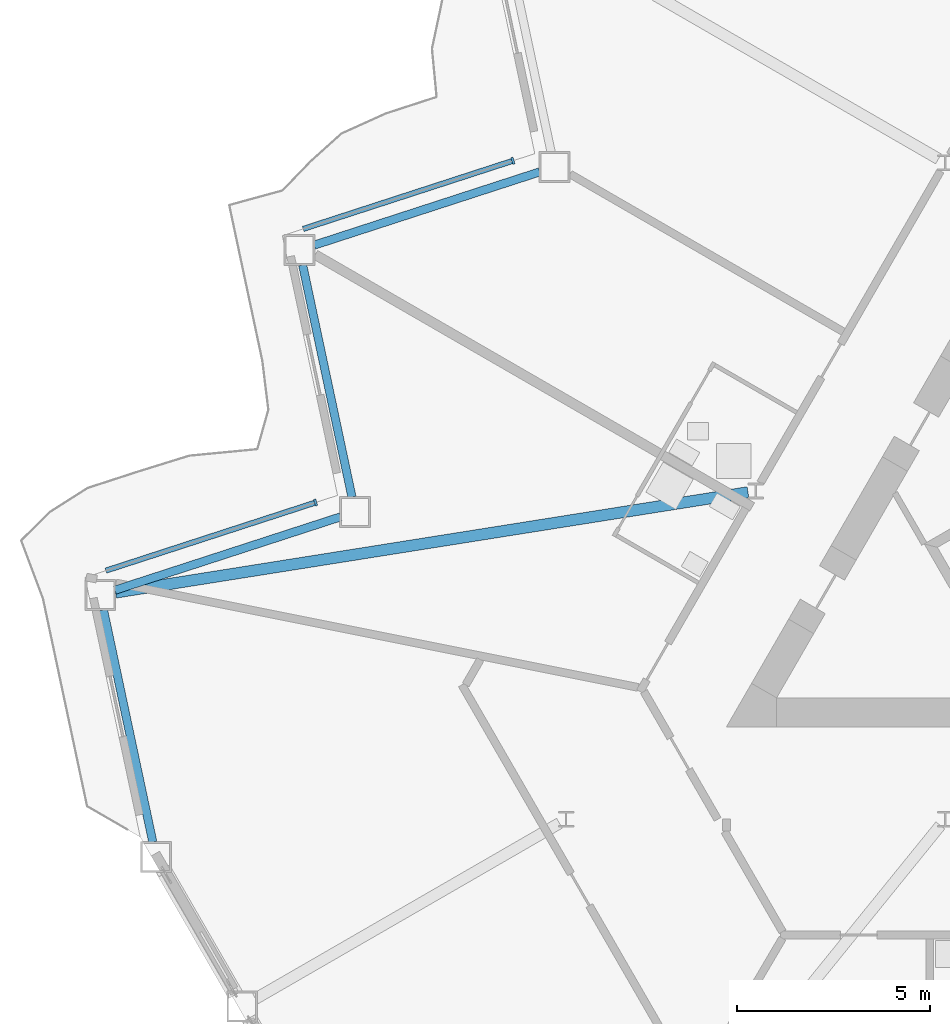
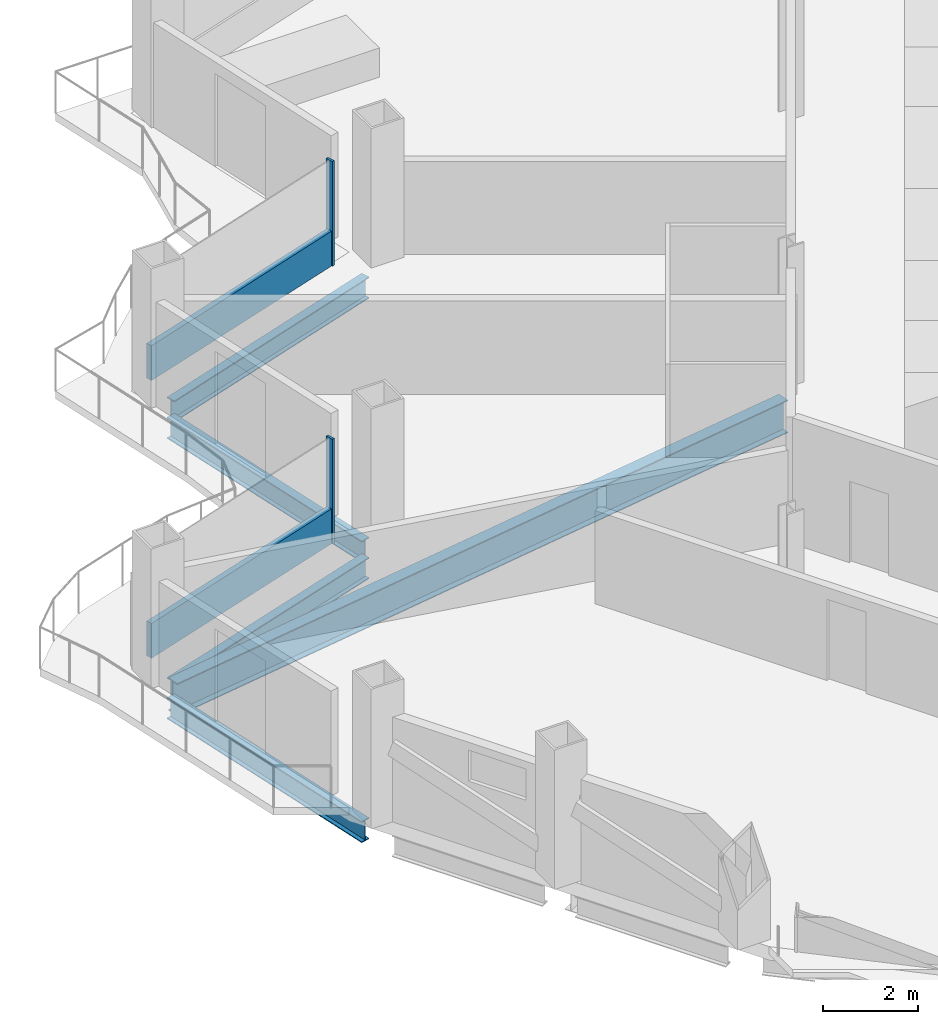
# One storey, part 4 of 23: 5 beams, 4 members, 2 elements without a shape of their own.
"""IFC4 building model written with IfcOpenShell, lengths in metres."""

from ifc_helpers import new_model, si_unit, direction, frame, origin, origin_2d, place, context, subcontext, project, spatial, rectangle, i_section, extrude, material, layer, layer_set, material_profile, profile_set, type_object, element, aggregate, save


model = new_model("IFC4")

# Units and contexts
model_context = context("Model", 3, precision=1e-05, world=origin(), true_north=direction((0.0, 1.0)))
body_context = subcontext(model_context, "Body", "Model", "MODEL_VIEW")
ifc_project = project(units=[si_unit("LENGTHUNIT", "METRE"), si_unit("AREAUNIT", "SQUARE_METRE"), si_unit("VOLUMEUNIT", "CUBIC_METRE"), si_unit("PLANEANGLEUNIT", "RADIAN"), si_unit("MASSUNIT", "GRAM", prefix="KILO")], contexts=[model_context])

# Site, building, storey
site_placement = place(None, origin())
site = spatial("IfcSite", under=ifc_project, at=site_placement, CompositionType="ELEMENT")
building_placement = place(site_placement, origin())
building = spatial("IfcBuilding", under=site, at=building_placement, Name="Cormorant Prow Tower", CompositionType="ELEMENT")
storey_placement = place(building_placement, frame((0.0, 0.0, 176.39990234375)))
storey = spatial("IfcBuildingStorey", under=building, at=storey_placement, Name="L37", CompositionType="ELEMENT", Elevation=176.39990234375)

# Curtain wall, member
ifc_material_1 = material(Name="Aluminium 6063-T6", Category="aluminium")
ifc_layer = layer(ifc_material_1, 0.179931640625)
ifc_layer_set = layer_set([ifc_layer], Name="Aluminium 6063-T6")
curtain_wall_type = type_object("IfcCurtainWallType", Name="Hotel unitised curtain wall 180", PredefinedType="NOTDEFINED", material=ifc_layer_set)
curtain_wall_1_placement = place(storey_placement, origin())
curtain_wall_1 = element("IfcCurtainWall", 1, at=curtain_wall_1_placement, inside=storey, type_object=curtain_wall_type, Name="Hotel curtain wall WNW06", PredefinedType="NOTDEFINED")
ifc_material_2 = material(Name="Aluminium 6063-T6", Category="aluminium")
ifc_material_profile_1 = material_profile(ifc_material_2, rectangle(XDim=0.179931640625, YDim=0.06005859375, at=origin_2d()), Name="Hotel mullion 60x180")
ifc_profile_set_1 = profile_set([ifc_material_profile_1], Name="Aluminium 6063-T6")
member_type_1 = type_object("IfcMemberType", Name="Hotel mullion 60x180", PredefinedType="MULLION", material=ifc_profile_set_1)
member_1_placement = place(storey_placement, frame((-21.039794921875, 5.72705078125, 0.0), z_axis=(0.0, 0.0, 1.0), x_axis=(0.309016937722, -0.951056534703, 0.0)))
member_1 = element("IfcMember", 2, at=member_1_placement, type_object=member_type_1, Name="Hotel mullion WNW06", PredefinedType="MULLION", context=body_context, shape_type="SweptSolid", body=[
    extrude(rectangle(XDim=0.179931640625, YDim=0.06005859375, at=origin_2d()), origin(), (0.0, 0.0, 1.0), 2.700927734375),
])

curtain_wall_2_placement = place(storey_placement, origin())
curtain_wall_2 = element("IfcCurtainWall", 3, at=curtain_wall_2_placement, inside=storey, type_object=curtain_wall_type, Name="Hotel curtain wall WNW08", PredefinedType="NOTDEFINED")
member_2_placement = place(storey_placement, frame((-26.155517578125, -3.133544921875, 0.0), z_axis=(0.0, 0.0, 1.0), x_axis=(0.309017069121, -0.951056492009, 0.0)))
member_2 = element("IfcMember", 4, at=member_2_placement, type_object=member_type_1, Name="Hotel mullion WNW08", PredefinedType="MULLION", context=body_context, shape_type="SweptSolid", body=[
    extrude(rectangle(XDim=0.179931640625, YDim=0.06005859375, at=origin_2d()), origin(), (0.0, 0.0, 1.0), 2.700927734375),
])

# Member
ifc_material_3 = material(Name="Terracotta", Category="masonry")
ifc_material_profile_2 = material_profile(ifc_material_3, rectangle(XDim=0.139892578125, YDim=0.89990234375, at=origin_2d()), Name="Hotel terracotta spandrel rail 140x900")
ifc_profile_set_2 = profile_set([ifc_material_profile_2], Name="Terracotta")
member_type_2 = type_object("IfcMemberType", Name="Hotel terracotta spandrel rail 140x900", PredefinedType="USERDEFINED", material=ifc_profile_set_2)
member_3_placement = place(storey_placement, frame((-21.068359375, 5.7177734375, 0.4501953125), z_axis=(-0.951059615859, -0.309007454735, 0.0), x_axis=(0.309007454735, -0.951059615859, 0.0)))
member_3 = element("IfcMember", 5, at=member_3_placement, type_object=member_type_2, Name="Hotel spandrel rail WNW06", ObjectType="TRANSOM", PredefinedType="USERDEFINED", context=body_context, shape_type="SweptSolid", body=[
    extrude(rectangle(XDim=0.139892578125, YDim=0.89990234375, at=origin_2d()), origin(), (0.0, 0.0, 1.0), 5.687744140625),
])

aggregate(curtain_wall_1, [member_1, member_3])

member_4_placement = place(storey_placement, frame((-26.18408203125, -3.142822265625, 0.4501953125), z_axis=(-0.951059615859, -0.309007454735, 0.0), x_axis=(0.309007454735, -0.951059615859, 0.0)))
member_4 = element("IfcMember", 6, at=member_4_placement, type_object=member_type_2, Name="Hotel spandrel rail WNW08", ObjectType="TRANSOM", PredefinedType="USERDEFINED", context=body_context, shape_type="SweptSolid", body=[
    extrude(rectangle(XDim=0.139892578125, YDim=0.89990234375, at=origin_2d()), origin(), (0.0, 0.0, 1.0), 5.687744140625),
])

aggregate(curtain_wall_2, [member_2, member_4])

# Beams
ifc_material_4 = material(Name="Structural steel ASTM A992 Gr 50", Category="steel")
ifc_material_profile_3 = material_profile(ifc_material_4, i_section(OverallWidth=0.29296875, OverallDepth=0.845703125, WebThickness=0.015380859375, FlangeThickness=0.0244140625, at=origin_2d()), Name="W33x141")
ifc_profile_set_3 = profile_set([ifc_material_profile_3], Name="Structural steel ASTM A992 Gr 50")
beam_type_1 = type_object("IfcBeamType", Name="Radial floor beam W33x141", PredefinedType="BEAM", material=ifc_profile_set_3)
beam_1_placement = place(storey_placement, frame((-14.94384765625, -2.869140625, -0.772705078125), z_axis=(-0.987678058302, -0.156499371084, 0.0), x_axis=(0.156499371084, -0.987678058302, 0.0)))
element("IfcBeam", 7, at=beam_1_placement, inside=storey, type_object=beam_type_1, Name="Radial floor beam FB2 4 L37", PredefinedType="BEAM", context=body_context, shape_type="SweptSolid", body=[
    extrude(i_section(OverallWidth=0.29296875, OverallDepth=0.845703125, WebThickness=0.015380859375, FlangeThickness=0.0244140625, at=origin_2d()), origin(), (0.0, 0.0, 1.0), 16.604736328125),
])
ifc_material_5 = material(Name="Structural steel ASTM A992 Gr 50", Category="steel")
ifc_material_profile_4 = material_profile(ifc_material_5, i_section(OverallWidth=0.2138671875, OverallDepth=0.549072265625, WebThickness=0.0146484375, FlangeThickness=0.023681640625, at=origin_2d()), Name="W21x93")
ifc_profile_set_4 = profile_set([ifc_material_profile_4], Name="Structural steel ASTM A992 Gr 50")
beam_type_2 = type_object("IfcBeamType", Name="Spandrel beam W21x93", PredefinedType="SPANDREL", material=ifc_profile_set_4)
beam_2_placement = place(storey_placement, frame((-20.344970703125, 5.439208984375, -0.62451171875), z_axis=(-0.951057696564, -0.309013361859, 0.0), x_axis=(0.309013361859, -0.951057696564, 0.0)))
element("IfcBeam", 8, at=beam_2_placement, inside=storey, type_object=beam_type_2, Name="Spandrel beam SB2 WNW06-WNW07 L37", PredefinedType="SPANDREL", context=body_context, shape_type="SweptSolid", body=[
    extrude(i_section(OverallWidth=0.2138671875, OverallDepth=0.549072265625, WebThickness=0.0146484375, FlangeThickness=0.023681640625, at=origin_2d()), origin(), (0.0, 0.0, 1.0), 6.14990234375),
])
beam_3_placement = place(storey_placement, frame((-26.490966796875, 3.02392578125, -0.62451171875), z_axis=(0.207904811195, -0.978149063018, 0.0), x_axis=(0.978149063018, 0.207904811195, 0.0)))
element("IfcBeam", 9, at=beam_3_placement, inside=storey, type_object=beam_type_2, Name="Spandrel beam SB2 WNW07-WNW08 L37", PredefinedType="SPANDREL", context=body_context, shape_type="SweptSolid", body=[
    extrude(i_section(OverallWidth=0.2138671875, OverallDepth=0.549072265625, WebThickness=0.0146484375, FlangeThickness=0.023681640625, at=origin_2d()), origin(), (0.0, 0.0, 1.0), 6.149658203125),
])
beam_4_placement = place(storey_placement, frame((-25.509765625, -3.50634765625, -0.62451171875), z_axis=(-0.951057696564, -0.309013361859, 0.0), x_axis=(0.309013361859, -0.951057696564, 0.0)))
element("IfcBeam", 10, at=beam_4_placement, inside=storey, type_object=beam_type_2, Name="Spandrel beam SB2 WNW08-WNW09 L37", PredefinedType="SPANDREL", context=body_context, shape_type="SweptSolid", body=[
    extrude(i_section(OverallWidth=0.2138671875, OverallDepth=0.549072265625, WebThickness=0.0146484375, FlangeThickness=0.023681640625, at=origin_2d()), origin(), (0.0, 0.0, 1.0), 6.14990234375),
])
beam_5_placement = place(storey_placement, frame((-31.65576171875, -5.921630859375, -0.62451171875), z_axis=(0.207904811195, -0.978149063018, 0.0), x_axis=(0.978149063018, 0.207904811195, 0.0)))
element("IfcBeam", 11, at=beam_5_placement, inside=storey, type_object=beam_type_2, Name="Spandrel beam SB2 WNW09-WSW00 L37", PredefinedType="SPANDREL", context=body_context, shape_type="SweptSolid", body=[
    extrude(i_section(OverallWidth=0.2138671875, OverallDepth=0.549072265625, WebThickness=0.0146484375, FlangeThickness=0.023681640625, at=origin_2d()), origin(), (0.0, 0.0, 1.0), 6.149658203125),
])

save(model, "model.ifc")
